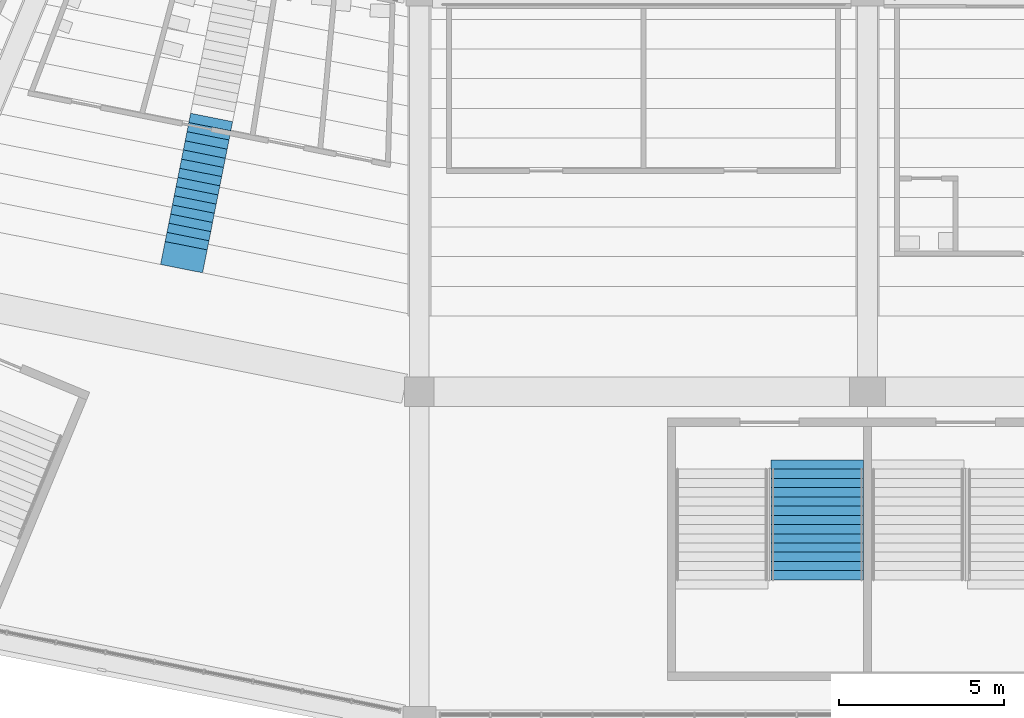
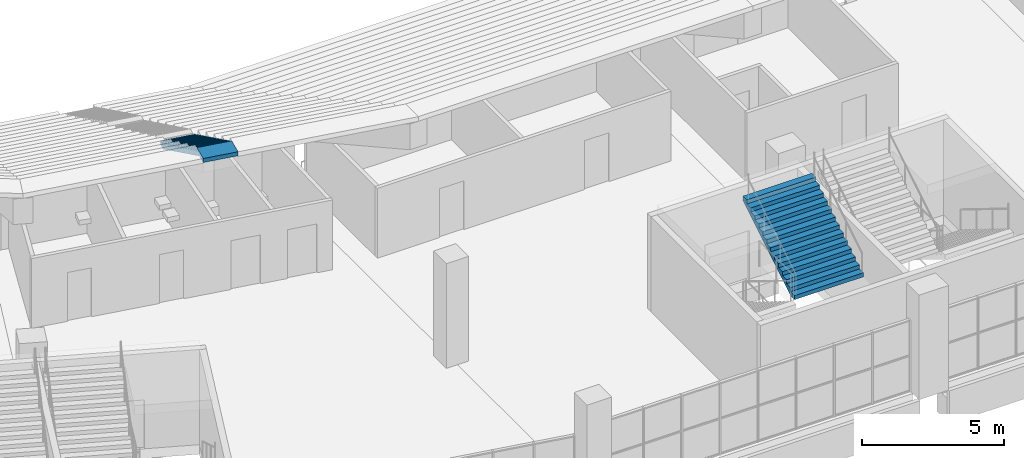
# One storey, part 135 of 249: 2 stair flights, 2 elements without a shape of their own.
"""IFC4 building model written with IfcOpenShell, lengths in metres."""

from ifc_helpers import new_model, si_unit, direction, frame, origin, place, context, subcontext, project, spatial, faceted_brep, material, type_object, element, aggregate, save


model = new_model("IFC4")

# Units and contexts
model_context = context("Model", 3, precision=1e-05, world=origin(), true_north=direction((0.0, 1.0)))
body_context = subcontext(model_context, "Body", "Model", "MODEL_VIEW")
ifc_project = project(units=[si_unit("LENGTHUNIT", "METRE"), si_unit("AREAUNIT", "SQUARE_METRE"), si_unit("VOLUMEUNIT", "CUBIC_METRE"), si_unit("PLANEANGLEUNIT", "RADIAN"), si_unit("MASSUNIT", "GRAM", prefix="KILO")], contexts=[model_context])

# Site, building, storey
site_placement = place(None, origin())
site = spatial("IfcSite", under=ifc_project, at=site_placement, CompositionType="ELEMENT")
building_placement = place(site_placement, origin())
building = spatial("IfcBuilding", under=site, at=building_placement, Name="Ogive Plaza Stadium", CompositionType="ELEMENT")
storey_placement = place(building_placement, frame((0.0, 0.0, 13.5)))
storey = spatial("IfcBuildingStorey", under=building, at=storey_placement, Name="L03", CompositionType="ELEMENT", Elevation=13.5)

# Stair, stair flight
ifc_material_1 = material(Name="Concrete C40/50", Category="concrete")
stair_type_1 = type_object("IfcStairType", Name="Aisle stair", PredefinedType="STRAIGHT_RUN_STAIR", material=ifc_material_1)
stair_1_placement = place(storey_placement, origin())
stair_1 = element("IfcStair", 1, at=stair_1_placement, inside=storey, type_object=stair_type_1, Name="Aisle stair SA17U", PredefinedType="STRAIGHT_RUN_STAIR")
ifc_material_2 = material(Name="Concrete C40/50", Category="concrete")
stair_flight_type_1 = type_object("IfcStairFlightType", Name="Aisle stair flight", PredefinedType="STRAIGHT", material=ifc_material_2)
stair_flight_1_placement = place(storey_placement, frame((-40.301513671875, -84.179443359375, 6.5), z_axis=(0.0, 0.0, 1.0), x_axis=(-0.195090322016, -0.980785280403, 0.0)))
stair_flight_1 = element("IfcStairFlight", 2, at=stair_flight_1_placement, type_object=stair_flight_type_1, Name="SA17U flight 3", NumberOfRisers=15, NumberOfTreads=14, PredefinedType="STRAIGHT", RiserHeight=0.166666667, TreadLength=0.283333333, context=body_context, shape_type="Brep", body=[
    faceted_brep([(0.295654296875, -0.64990234375, 0.0), (4.25, -0.64990234375, 2.326171875), (4.675537109375, -0.64990234375, 2.326171875), (4.675537109375, -0.64990234375, 2.5), (3.966552734375, -0.64990234375, 2.5), (3.966552734375, -0.64990234375, 2.333251953125), (3.683349609375, -0.64990234375, 2.333251953125), (3.683349609375, -0.64990234375, 2.166748046875), (3.39990234375, -0.64990234375, 2.166748046875), (3.39990234375, -0.64990234375, 2.0), (3.11669921875, -0.64990234375, 2.0), (3.11669921875, -0.64990234375, 1.833251953125), (2.833251953125, -0.64990234375, 1.833251953125), (2.833251953125, -0.64990234375, 1.666748046875), (2.550048828125, -0.64990234375, 1.666748046875), (2.550048828125, -0.64990234375, 1.5), (2.2666015625, -0.64990234375, 1.5), (2.2666015625, -0.64990234375, 1.333251953125), (1.9833984375, -0.64990234375, 1.333251953125), (1.9833984375, -0.64990234375, 1.166748046875), (1.699951171875, -0.64990234375, 1.166748046875), (1.699951171875, -0.64990234375, 1.0), (1.416748046875, -0.64990234375, 1.0), (1.416748046875, -0.64990234375, 0.833251953125), (1.13330078125, -0.64990234375, 0.833251953125), (1.13330078125, -0.64990234375, 0.666748046875), (0.85009765625, -0.64990234375, 0.666748046875), (0.85009765625, -0.64990234375, 0.5), (0.566650390625, -0.64990234375, 0.5), (0.566650390625, -0.64990234375, 0.333251953125), (0.283447265625, -0.64990234375, 0.333251953125), (0.283447265625, -0.64990234375, 0.166748046875), (0.0, -0.64990234375, 0.166748046875), (0.0, -0.64990234375, 0.0), (0.0, 0.64990234375, 0.0), (0.0, 0.64990234375, 0.166748046875), (0.283447265625, 0.64990234375, 0.166748046875), (0.283447265625, 0.64990234375, 0.333251953125), (0.566650390625, 0.64990234375, 0.333251953125), (0.566650390625, 0.64990234375, 0.5), (0.85009765625, 0.64990234375, 0.5), (0.85009765625, 0.64990234375, 0.666748046875), (1.13330078125, 0.64990234375, 0.666748046875), (1.13330078125, 0.64990234375, 0.833251953125), (1.416748046875, 0.64990234375, 0.833251953125), (1.416748046875, 0.64990234375, 1.0), (1.699951171875, 0.64990234375, 1.0), (1.699951171875, 0.64990234375, 1.166748046875), (1.9833984375, 0.64990234375, 1.166748046875), (1.9833984375, 0.64990234375, 1.333251953125), (2.2666015625, 0.64990234375, 1.333251953125), (2.2666015625, 0.64990234375, 1.5), (2.550048828125, 0.64990234375, 1.5), (2.550048828125, 0.64990234375, 1.666748046875), (2.833251953125, 0.64990234375, 1.666748046875), (2.833251953125, 0.64990234375, 1.833251953125), (3.11669921875, 0.64990234375, 1.833251953125), (3.11669921875, 0.64990234375, 2.0), (3.39990234375, 0.64990234375, 2.0), (3.39990234375, 0.64990234375, 2.166748046875), (3.683349609375, 0.64990234375, 2.166748046875), (3.683349609375, 0.64990234375, 2.333251953125), (3.966552734375, 0.64990234375, 2.333251953125), (3.966552734375, 0.64990234375, 2.5), (4.675537109375, 0.64990234375, 2.5), (4.675537109375, 0.64990234375, 2.326171875), (4.25, 0.64990234375, 2.326171875), (0.295654296875, 0.64990234375, 0.0), (0.295654296875, -0.324951171875, 0.0), (4.25, -0.324951171875, 2.326171875), (0.295654296875, 0.0, 0.0), (4.25, 0.0, 2.326171875), (0.295654296875, 0.324951171875, 0.0), (4.25, 0.324951171875, 2.326171875), (4.675537109375, -0.324951171875, 2.326171875), (4.675537109375, 0.0, 2.326171875), (4.675537109375, 0.324951171875, 2.326171875), (4.675537109375, -0.324951171875, 2.5), (4.675537109375, 0.0, 2.5), (4.675537109375, 0.324951171875, 2.5), (3.966552734375, -0.324951171875, 2.5), (3.966552734375, 0.0, 2.5), (3.966552734375, 0.324951171875, 2.5), (3.966552734375, -0.324951171875, 2.333251953125), (3.966552734375, 0.0, 2.333251953125), (3.966552734375, 0.324951171875, 2.333251953125), (3.683349609375, -0.324951171875, 2.333251953125), (3.683349609375, 0.0, 2.333251953125), (3.683349609375, 0.324951171875, 2.333251953125), (3.683349609375, -0.324951171875, 2.166748046875), (3.683349609375, 0.0, 2.166748046875), (3.683349609375, 0.324951171875, 2.166748046875), (3.39990234375, -0.324951171875, 2.166748046875), (3.39990234375, 0.0, 2.166748046875), (3.39990234375, 0.324951171875, 2.166748046875), (3.39990234375, -0.324951171875, 2.0), (3.39990234375, 0.0, 2.0), (3.39990234375, 0.324951171875, 2.0), (3.11669921875, -0.324951171875, 2.0), (3.11669921875, 0.0, 2.0), (3.11669921875, 0.324951171875, 2.0), (3.11669921875, -0.324951171875, 1.833251953125), (3.11669921875, 0.0, 1.833251953125), (3.11669921875, 0.324951171875, 1.833251953125), (2.833251953125, -0.324951171875, 1.833251953125), (2.833251953125, 0.0, 1.833251953125), (2.833251953125, 0.324951171875, 1.833251953125), (2.833251953125, -0.324951171875, 1.666748046875), (2.833251953125, 0.0, 1.666748046875), (2.833251953125, 0.324951171875, 1.666748046875), (2.550048828125, -0.324951171875, 1.666748046875), (2.550048828125, 0.0, 1.666748046875), (2.550048828125, 0.324951171875, 1.666748046875), (2.550048828125, -0.324951171875, 1.5), (2.550048828125, 0.0, 1.5), (2.550048828125, 0.324951171875, 1.5), (2.2666015625, -0.324951171875, 1.5), (2.2666015625, 0.0, 1.5), (2.2666015625, 0.324951171875, 1.5), (2.2666015625, -0.324951171875, 1.333251953125), (2.2666015625, 0.0, 1.333251953125), (2.2666015625, 0.324951171875, 1.333251953125), (1.9833984375, -0.324951171875, 1.333251953125), (1.9833984375, 0.0, 1.333251953125), (1.9833984375, 0.324951171875, 1.333251953125), (1.9833984375, -0.324951171875, 1.166748046875), (1.9833984375, 0.0, 1.166748046875), (1.9833984375, 0.324951171875, 1.166748046875), (1.699951171875, -0.324951171875, 1.166748046875), (1.699951171875, 0.0, 1.166748046875), (1.699951171875, 0.324951171875, 1.166748046875), (1.699951171875, -0.324951171875, 1.0), (1.699951171875, 0.0, 1.0), (1.699951171875, 0.324951171875, 1.0), (1.416748046875, -0.324951171875, 1.0), (1.416748046875, 0.0, 1.0), (1.416748046875, 0.324951171875, 1.0), (1.416748046875, -0.324951171875, 0.833251953125), (1.416748046875, 0.0, 0.833251953125), (1.416748046875, 0.324951171875, 0.833251953125), (1.13330078125, -0.324951171875, 0.833251953125), (1.13330078125, 0.0, 0.833251953125), (1.13330078125, 0.324951171875, 0.833251953125), (1.13330078125, -0.324951171875, 0.666748046875), (1.13330078125, 0.0, 0.666748046875), (1.13330078125, 0.324951171875, 0.666748046875), (0.85009765625, -0.324951171875, 0.666748046875), (0.85009765625, 0.0, 0.666748046875), (0.85009765625, 0.324951171875, 0.666748046875), (0.85009765625, -0.324951171875, 0.5), (0.85009765625, 0.0, 0.5), (0.85009765625, 0.324951171875, 0.5), (0.566650390625, -0.324951171875, 0.5), (0.566650390625, 0.0, 0.5), (0.566650390625, 0.324951171875, 0.5), (0.566650390625, -0.324951171875, 0.333251953125), (0.566650390625, 0.0, 0.333251953125), (0.566650390625, 0.324951171875, 0.333251953125), (0.283447265625, -0.324951171875, 0.333251953125), (0.283447265625, 0.0, 0.333251953125), (0.283447265625, 0.324951171875, 0.333251953125), (0.283447265625, -0.324951171875, 0.166748046875), (0.283447265625, 0.0, 0.166748046875), (0.283447265625, 0.324951171875, 0.166748046875), (0.0, -0.324951171875, 0.166748046875), (0.0, 0.0, 0.166748046875), (0.0, 0.324951171875, 0.166748046875), (0.0, -0.324951171875, 0.0), (0.0, 0.0, 0.0), (0.0, 0.324951171875, 0.0)], [[[0, 1, 2, 3, 4, 5, 6, 7, 8, 9, 10, 11, 12, 13, 14, 15, 16, 17, 18, 19, 20, 21, 22, 23, 24, 25, 26, 27, 28, 29, 30, 31, 32, 33]], [[34, 35, 36, 37, 38, 39, 40, 41, 42, 43, 44, 45, 46, 47, 48, 49, 50, 51, 52, 53, 54, 55, 56, 57, 58, 59, 60, 61, 62, 63, 64, 65, 66, 67]], [[0, 68, 69, 1]], [[68, 70, 71, 69]], [[70, 72, 73, 71]], [[72, 67, 66, 73]], [[1, 69, 74, 2]], [[69, 71, 75, 74]], [[71, 73, 76, 75]], [[73, 66, 65, 76]], [[2, 74, 77, 3]], [[74, 75, 78, 77]], [[75, 76, 79, 78]], [[76, 65, 64, 79]], [[3, 77, 80, 4]], [[77, 78, 81, 80]], [[78, 79, 82, 81]], [[79, 64, 63, 82]], [[4, 80, 83, 5]], [[80, 81, 84, 83]], [[81, 82, 85, 84]], [[82, 63, 62, 85]], [[5, 83, 86, 6]], [[83, 84, 87, 86]], [[84, 85, 88, 87]], [[85, 62, 61, 88]], [[6, 86, 89, 7]], [[86, 87, 90, 89]], [[87, 88, 91, 90]], [[88, 61, 60, 91]], [[7, 89, 92, 8]], [[89, 90, 93, 92]], [[90, 91, 94, 93]], [[91, 60, 59, 94]], [[8, 92, 95, 9]], [[92, 93, 96, 95]], [[93, 94, 97, 96]], [[94, 59, 58, 97]], [[9, 95, 98, 10]], [[95, 96, 99, 98]], [[96, 97, 100, 99]], [[97, 58, 57, 100]], [[10, 98, 101, 11]], [[98, 99, 102, 101]], [[99, 100, 103, 102]], [[100, 57, 56, 103]], [[11, 101, 104, 12]], [[101, 102, 105, 104]], [[102, 103, 106, 105]], [[103, 56, 55, 106]], [[12, 104, 107, 13]], [[104, 105, 108, 107]], [[105, 106, 109, 108]], [[106, 55, 54, 109]], [[13, 107, 110, 14]], [[107, 108, 111, 110]], [[108, 109, 112, 111]], [[109, 54, 53, 112]], [[14, 110, 113, 15]], [[110, 111, 114, 113]], [[111, 112, 115, 114]], [[112, 53, 52, 115]], [[15, 113, 116, 16]], [[113, 114, 117, 116]], [[114, 115, 118, 117]], [[115, 52, 51, 118]], [[16, 116, 119, 17]], [[116, 117, 120, 119]], [[117, 118, 121, 120]], [[118, 51, 50, 121]], [[17, 119, 122, 18]], [[119, 120, 123, 122]], [[120, 121, 124, 123]], [[121, 50, 49, 124]], [[18, 122, 125, 19]], [[122, 123, 126, 125]], [[123, 124, 127, 126]], [[124, 49, 48, 127]], [[19, 125, 128, 20]], [[125, 126, 129, 128]], [[126, 127, 130, 129]], [[127, 48, 47, 130]], [[20, 128, 131, 21]], [[128, 129, 132, 131]], [[129, 130, 133, 132]], [[130, 47, 46, 133]], [[21, 131, 134, 22]], [[131, 132, 135, 134]], [[132, 133, 136, 135]], [[133, 46, 45, 136]], [[22, 134, 137, 23]], [[134, 135, 138, 137]], [[135, 136, 139, 138]], [[136, 45, 44, 139]], [[23, 137, 140, 24]], [[137, 138, 141, 140]], [[138, 139, 142, 141]], [[139, 44, 43, 142]], [[24, 140, 143, 25]], [[140, 141, 144, 143]], [[141, 142, 145, 144]], [[142, 43, 42, 145]], [[25, 143, 146, 26]], [[143, 144, 147, 146]], [[144, 145, 148, 147]], [[145, 42, 41, 148]], [[26, 146, 149, 27]], [[146, 147, 150, 149]], [[147, 148, 151, 150]], [[148, 41, 40, 151]], [[27, 149, 152, 28]], [[149, 150, 153, 152]], [[150, 151, 154, 153]], [[151, 40, 39, 154]], [[28, 152, 155, 29]], [[152, 153, 156, 155]], [[153, 154, 157, 156]], [[154, 39, 38, 157]], [[29, 155, 158, 30]], [[155, 156, 159, 158]], [[156, 157, 160, 159]], [[157, 38, 37, 160]], [[30, 158, 161, 31]], [[158, 159, 162, 161]], [[159, 160, 163, 162]], [[160, 37, 36, 163]], [[31, 161, 164, 32]], [[161, 162, 165, 164]], [[162, 163, 166, 165]], [[163, 36, 35, 166]], [[32, 164, 167, 33]], [[164, 165, 168, 167]], [[165, 166, 169, 168]], [[166, 35, 34, 169]], [[33, 167, 68, 0]], [[167, 168, 70, 68]], [[168, 169, 72, 70]], [[169, 34, 67, 72]]]),
])
aggregate(stair_1, [stair_flight_1])

ifc_material_3 = material(Name="Concrete C40/50", Category="concrete")
stair_type_2 = type_object("IfcStairType", Name="Exit stair", PredefinedType="STRAIGHT_RUN_STAIR", material=ifc_material_3)
stair_2_placement = place(storey_placement, origin())
stair_2 = element("IfcStair", 3, at=stair_2_placement, inside=storey, type_object=stair_type_2, Name="Exit stair ST16A L03 to L04", PredefinedType="STRAIGHT_RUN_STAIR")
ifc_material_4 = material(Name="Concrete C40/50", Category="concrete")
stair_flight_type_2 = type_object("IfcStairFlightType", Name="Exit stair flight", PredefinedType="STRAIGHT", material=ifc_material_4)
stair_flight_2_placement = place(storey_placement, frame((-21.925048828125, -98.2099609375, 2.25), z_axis=(0.0, 0.0, 1.0), x_axis=(0.0, 1.0, 0.0)))
stair_flight_2 = element("IfcStairFlight", 4, at=stair_flight_2_placement, type_object=stair_flight_type_2, Name="ST16A flight 2", NumberOfRisers=13, NumberOfTreads=12, PredefinedType="STRAIGHT", RiserHeight=0.173076923, TreadLength=0.28, context=body_context, shape_type="Brep", body=[
    faceted_brep([(0.28515625, -1.39990234375, 0.0), (3.639892578125, -1.39990234375, 2.07373046875), (3.639892578125, -1.39990234375, 2.25), (3.360107421875, -1.39990234375, 2.25), (3.360107421875, -1.39990234375, 2.076904296875), (3.080078125, -1.39990234375, 2.076904296875), (3.080078125, -1.39990234375, 1.90380859375), (2.800048828125, -1.39990234375, 1.90380859375), (2.800048828125, -1.39990234375, 1.730712890625), (2.52001953125, -1.39990234375, 1.730712890625), (2.52001953125, -1.39990234375, 1.5576171875), (2.239990234375, -1.39990234375, 1.5576171875), (2.239990234375, -1.39990234375, 1.384521484375), (1.9599609375, -1.39990234375, 1.384521484375), (1.9599609375, -1.39990234375, 1.21142578125), (1.679931640625, -1.39990234375, 1.21142578125), (1.679931640625, -1.39990234375, 1.03857421875), (1.39990234375, -1.39990234375, 1.03857421875), (1.39990234375, -1.39990234375, 0.865478515625), (1.1201171875, -1.39990234375, 0.865478515625), (1.1201171875, -1.39990234375, 0.6923828125), (0.840087890625, -1.39990234375, 0.6923828125), (0.840087890625, -1.39990234375, 0.519287109375), (0.56005859375, -1.39990234375, 0.519287109375), (0.56005859375, -1.39990234375, 0.34619140625), (0.280029296875, -1.39990234375, 0.34619140625), (0.280029296875, -1.39990234375, 0.173095703125), (0.0, -1.39990234375, 0.173095703125), (0.0, -1.39990234375, 0.0), (0.0, 1.39990234375, 0.0), (0.0, 1.39990234375, 0.173095703125), (0.280029296875, 1.39990234375, 0.173095703125), (0.280029296875, 1.39990234375, 0.34619140625), (0.56005859375, 1.39990234375, 0.34619140625), (0.56005859375, 1.39990234375, 0.519287109375), (0.840087890625, 1.39990234375, 0.519287109375), (0.840087890625, 1.39990234375, 0.6923828125), (1.1201171875, 1.39990234375, 0.6923828125), (1.1201171875, 1.39990234375, 0.865478515625), (1.39990234375, 1.39990234375, 0.865478515625), (1.39990234375, 1.39990234375, 1.03857421875), (1.679931640625, 1.39990234375, 1.03857421875), (1.679931640625, 1.39990234375, 1.21142578125), (1.9599609375, 1.39990234375, 1.21142578125), (1.9599609375, 1.39990234375, 1.384521484375), (2.239990234375, 1.39990234375, 1.384521484375), (2.239990234375, 1.39990234375, 1.5576171875), (2.52001953125, 1.39990234375, 1.5576171875), (2.52001953125, 1.39990234375, 1.730712890625), (2.800048828125, 1.39990234375, 1.730712890625), (2.800048828125, 1.39990234375, 1.90380859375), (3.080078125, 1.39990234375, 1.90380859375), (3.080078125, 1.39990234375, 2.076904296875), (3.360107421875, 1.39990234375, 2.076904296875), (3.360107421875, 1.39990234375, 2.25), (3.639892578125, 1.39990234375, 2.25), (3.639892578125, 1.39990234375, 2.07373046875), (0.28515625, 1.39990234375, 0.0), (0.28515625, -1.0888671875, 0.0), (3.639892578125, -1.0888671875, 2.07373046875), (0.28515625, -0.77783203125, 0.0), (3.639892578125, -0.77783203125, 2.07373046875), (0.28515625, -0.466796875, 0.0), (3.639892578125, -0.466796875, 2.07373046875), (0.28515625, -0.155517578125, 0.0), (3.639892578125, -0.155517578125, 2.07373046875), (0.28515625, 0.155517578125, 0.0), (3.639892578125, 0.155517578125, 2.07373046875), (0.28515625, 0.466796875, 0.0), (3.639892578125, 0.466796875, 2.07373046875), (0.28515625, 0.77783203125, 0.0), (3.639892578125, 0.77783203125, 2.07373046875), (0.28515625, 1.0888671875, 0.0), (3.639892578125, 1.0888671875, 2.07373046875), (3.639892578125, -1.0888671875, 2.25), (3.639892578125, -0.77783203125, 2.25), (3.639892578125, -0.466796875, 2.25), (3.639892578125, -0.155517578125, 2.25), (3.639892578125, 0.155517578125, 2.25), (3.639892578125, 0.466796875, 2.25), (3.639892578125, 0.77783203125, 2.25), (3.639892578125, 1.0888671875, 2.25), (3.360107421875, -1.0888671875, 2.25), (3.360107421875, -0.77783203125, 2.25), (3.360107421875, -0.466796875, 2.25), (3.360107421875, -0.155517578125, 2.25), (3.360107421875, 0.155517578125, 2.25), (3.360107421875, 0.466796875, 2.25), (3.360107421875, 0.77783203125, 2.25), (3.360107421875, 1.0888671875, 2.25), (3.360107421875, -1.0888671875, 2.076904296875), (3.360107421875, -0.77783203125, 2.076904296875), (3.360107421875, -0.466796875, 2.076904296875), (3.360107421875, -0.155517578125, 2.076904296875), (3.360107421875, 0.155517578125, 2.076904296875), (3.360107421875, 0.466796875, 2.076904296875), (3.360107421875, 0.77783203125, 2.076904296875), (3.360107421875, 1.0888671875, 2.076904296875), (3.080078125, -1.0888671875, 2.076904296875), (3.080078125, -0.77783203125, 2.076904296875), (3.080078125, -0.466796875, 2.076904296875), (3.080078125, -0.155517578125, 2.076904296875), (3.080078125, 0.155517578125, 2.076904296875), (3.080078125, 0.466796875, 2.076904296875), (3.080078125, 0.77783203125, 2.076904296875), (3.080078125, 1.0888671875, 2.076904296875), (3.080078125, -1.0888671875, 1.90380859375), (3.080078125, -0.77783203125, 1.90380859375), (3.080078125, -0.466796875, 1.90380859375), (3.080078125, -0.155517578125, 1.90380859375), (3.080078125, 0.155517578125, 1.90380859375), (3.080078125, 0.466796875, 1.90380859375), (3.080078125, 0.77783203125, 1.90380859375), (3.080078125, 1.0888671875, 1.90380859375), (2.800048828125, -1.0888671875, 1.90380859375), (2.800048828125, -0.77783203125, 1.90380859375), (2.800048828125, -0.466796875, 1.90380859375), (2.800048828125, -0.155517578125, 1.90380859375), (2.800048828125, 0.155517578125, 1.90380859375), (2.800048828125, 0.466796875, 1.90380859375), (2.800048828125, 0.77783203125, 1.90380859375), (2.800048828125, 1.0888671875, 1.90380859375), (2.800048828125, -1.0888671875, 1.730712890625), (2.800048828125, -0.77783203125, 1.730712890625), (2.800048828125, -0.466796875, 1.730712890625), (2.800048828125, -0.155517578125, 1.730712890625), (2.800048828125, 0.155517578125, 1.730712890625), (2.800048828125, 0.466796875, 1.730712890625), (2.800048828125, 0.77783203125, 1.730712890625), (2.800048828125, 1.0888671875, 1.730712890625), (2.52001953125, -1.0888671875, 1.730712890625), (2.52001953125, -0.77783203125, 1.730712890625), (2.52001953125, -0.466796875, 1.730712890625), (2.52001953125, -0.155517578125, 1.730712890625), (2.52001953125, 0.155517578125, 1.730712890625), (2.52001953125, 0.466796875, 1.730712890625), (2.52001953125, 0.77783203125, 1.730712890625), (2.52001953125, 1.0888671875, 1.730712890625), (2.52001953125, -1.0888671875, 1.5576171875), (2.52001953125, -0.77783203125, 1.5576171875), (2.52001953125, -0.466796875, 1.5576171875), (2.52001953125, -0.155517578125, 1.5576171875), (2.52001953125, 0.155517578125, 1.5576171875), (2.52001953125, 0.466796875, 1.5576171875), (2.52001953125, 0.77783203125, 1.5576171875), (2.52001953125, 1.0888671875, 1.5576171875), (2.239990234375, -1.0888671875, 1.5576171875), (2.239990234375, -0.77783203125, 1.5576171875), (2.239990234375, -0.466796875, 1.5576171875), (2.239990234375, -0.155517578125, 1.5576171875), (2.239990234375, 0.155517578125, 1.5576171875), (2.239990234375, 0.466796875, 1.5576171875), (2.239990234375, 0.77783203125, 1.5576171875), (2.239990234375, 1.0888671875, 1.5576171875), (2.239990234375, -1.0888671875, 1.384521484375), (2.239990234375, -0.77783203125, 1.384521484375), (2.239990234375, -0.466796875, 1.384521484375), (2.239990234375, -0.155517578125, 1.384521484375), (2.239990234375, 0.155517578125, 1.384521484375), (2.239990234375, 0.466796875, 1.384521484375), (2.239990234375, 0.77783203125, 1.384521484375), (2.239990234375, 1.0888671875, 1.384521484375), (1.9599609375, -1.0888671875, 1.384521484375), (1.9599609375, -0.77783203125, 1.384521484375), (1.9599609375, -0.466796875, 1.384521484375), (1.9599609375, -0.155517578125, 1.384521484375), (1.9599609375, 0.155517578125, 1.384521484375), (1.9599609375, 0.466796875, 1.384521484375), (1.9599609375, 0.77783203125, 1.384521484375), (1.9599609375, 1.0888671875, 1.384521484375), (1.9599609375, -1.0888671875, 1.21142578125), (1.9599609375, -0.77783203125, 1.21142578125), (1.9599609375, -0.466796875, 1.21142578125), (1.9599609375, -0.155517578125, 1.21142578125), (1.9599609375, 0.155517578125, 1.21142578125), (1.9599609375, 0.466796875, 1.21142578125), (1.9599609375, 0.77783203125, 1.21142578125), (1.9599609375, 1.0888671875, 1.21142578125), (1.679931640625, -1.0888671875, 1.21142578125), (1.679931640625, -0.77783203125, 1.21142578125), (1.679931640625, -0.466796875, 1.21142578125), (1.679931640625, -0.155517578125, 1.21142578125), (1.679931640625, 0.155517578125, 1.21142578125), (1.679931640625, 0.466796875, 1.21142578125), (1.679931640625, 0.77783203125, 1.21142578125), (1.679931640625, 1.0888671875, 1.21142578125), (1.679931640625, -1.0888671875, 1.03857421875), (1.679931640625, -0.77783203125, 1.03857421875), (1.679931640625, -0.466796875, 1.03857421875), (1.679931640625, -0.155517578125, 1.03857421875), (1.679931640625, 0.155517578125, 1.03857421875), (1.679931640625, 0.466796875, 1.03857421875), (1.679931640625, 0.77783203125, 1.03857421875), (1.679931640625, 1.0888671875, 1.03857421875), (1.39990234375, -1.0888671875, 1.03857421875), (1.39990234375, -0.77783203125, 1.03857421875), (1.39990234375, -0.466796875, 1.03857421875), (1.39990234375, -0.155517578125, 1.03857421875), (1.39990234375, 0.155517578125, 1.03857421875), (1.39990234375, 0.466796875, 1.03857421875), (1.39990234375, 0.77783203125, 1.03857421875), (1.39990234375, 1.0888671875, 1.03857421875), (1.39990234375, -1.0888671875, 0.865478515625), (1.39990234375, -0.77783203125, 0.865478515625), (1.39990234375, -0.466796875, 0.865478515625), (1.39990234375, -0.155517578125, 0.865478515625), (1.39990234375, 0.155517578125, 0.865478515625), (1.39990234375, 0.466796875, 0.865478515625), (1.39990234375, 0.77783203125, 0.865478515625), (1.39990234375, 1.0888671875, 0.865478515625), (1.1201171875, -1.0888671875, 0.865478515625), (1.1201171875, -0.77783203125, 0.865478515625), (1.1201171875, -0.466796875, 0.865478515625), (1.1201171875, -0.155517578125, 0.865478515625), (1.1201171875, 0.155517578125, 0.865478515625), (1.1201171875, 0.466796875, 0.865478515625), (1.1201171875, 0.77783203125, 0.865478515625), (1.1201171875, 1.0888671875, 0.865478515625), (1.1201171875, -1.0888671875, 0.6923828125), (1.1201171875, -0.77783203125, 0.6923828125), (1.1201171875, -0.466796875, 0.6923828125), (1.1201171875, -0.155517578125, 0.6923828125), (1.1201171875, 0.155517578125, 0.6923828125), (1.1201171875, 0.466796875, 0.6923828125), (1.1201171875, 0.77783203125, 0.6923828125), (1.1201171875, 1.0888671875, 0.6923828125), (0.840087890625, -1.0888671875, 0.6923828125), (0.840087890625, -0.77783203125, 0.6923828125), (0.840087890625, -0.466796875, 0.6923828125), (0.840087890625, -0.155517578125, 0.6923828125), (0.840087890625, 0.155517578125, 0.6923828125), (0.840087890625, 0.466796875, 0.6923828125), (0.840087890625, 0.77783203125, 0.6923828125), (0.840087890625, 1.0888671875, 0.6923828125), (0.840087890625, -1.0888671875, 0.519287109375), (0.840087890625, -0.77783203125, 0.519287109375), (0.840087890625, -0.466796875, 0.519287109375), (0.840087890625, -0.155517578125, 0.519287109375), (0.840087890625, 0.155517578125, 0.519287109375), (0.840087890625, 0.466796875, 0.519287109375), (0.840087890625, 0.77783203125, 0.519287109375), (0.840087890625, 1.0888671875, 0.519287109375), (0.56005859375, -1.0888671875, 0.519287109375), (0.56005859375, -0.77783203125, 0.519287109375), (0.56005859375, -0.466796875, 0.519287109375), (0.56005859375, -0.155517578125, 0.519287109375), (0.56005859375, 0.155517578125, 0.519287109375), (0.56005859375, 0.466796875, 0.519287109375), (0.56005859375, 0.77783203125, 0.519287109375), (0.56005859375, 1.0888671875, 0.519287109375), (0.56005859375, -1.0888671875, 0.34619140625), (0.56005859375, -0.77783203125, 0.34619140625), (0.56005859375, -0.466796875, 0.34619140625), (0.56005859375, -0.155517578125, 0.34619140625), (0.56005859375, 0.155517578125, 0.34619140625), (0.56005859375, 0.466796875, 0.34619140625), (0.56005859375, 0.77783203125, 0.34619140625), (0.56005859375, 1.0888671875, 0.34619140625), (0.280029296875, -1.0888671875, 0.34619140625), (0.280029296875, -0.77783203125, 0.34619140625), (0.280029296875, -0.466796875, 0.34619140625), (0.280029296875, -0.155517578125, 0.34619140625), (0.280029296875, 0.155517578125, 0.34619140625), (0.280029296875, 0.466796875, 0.34619140625), (0.280029296875, 0.77783203125, 0.34619140625), (0.280029296875, 1.0888671875, 0.34619140625), (0.280029296875, -1.0888671875, 0.173095703125), (0.280029296875, -0.77783203125, 0.173095703125), (0.280029296875, -0.466796875, 0.173095703125), (0.280029296875, -0.155517578125, 0.173095703125), (0.280029296875, 0.155517578125, 0.173095703125), (0.280029296875, 0.466796875, 0.173095703125), (0.280029296875, 0.77783203125, 0.173095703125), (0.280029296875, 1.0888671875, 0.173095703125), (0.0, -1.0888671875, 0.173095703125), (0.0, -0.77783203125, 0.173095703125), (0.0, -0.466796875, 0.173095703125), (0.0, -0.155517578125, 0.173095703125), (0.0, 0.155517578125, 0.173095703125), (0.0, 0.466796875, 0.173095703125), (0.0, 0.77783203125, 0.173095703125), (0.0, 1.0888671875, 0.173095703125), (0.0, -1.0888671875, 0.0), (0.0, -0.77783203125, 0.0), (0.0, -0.466796875, 0.0), (0.0, -0.155517578125, 0.0), (0.0, 0.155517578125, 0.0), (0.0, 0.466796875, 0.0), (0.0, 0.77783203125, 0.0), (0.0, 1.0888671875, 0.0)], [[[0, 1, 2, 3, 4, 5, 6, 7, 8, 9, 10, 11, 12, 13, 14, 15, 16, 17, 18, 19, 20, 21, 22, 23, 24, 25, 26, 27, 28]], [[29, 30, 31, 32, 33, 34, 35, 36, 37, 38, 39, 40, 41, 42, 43, 44, 45, 46, 47, 48, 49, 50, 51, 52, 53, 54, 55, 56, 57]], [[0, 58, 59, 1]], [[58, 60, 61, 59]], [[60, 62, 63, 61]], [[62, 64, 65, 63]], [[64, 66, 67, 65]], [[66, 68, 69, 67]], [[68, 70, 71, 69]], [[70, 72, 73, 71]], [[72, 57, 56, 73]], [[1, 59, 74, 2]], [[59, 61, 75, 74]], [[61, 63, 76, 75]], [[63, 65, 77, 76]], [[65, 67, 78, 77]], [[67, 69, 79, 78]], [[69, 71, 80, 79]], [[71, 73, 81, 80]], [[73, 56, 55, 81]], [[2, 74, 82, 3]], [[74, 75, 83, 82]], [[75, 76, 84, 83]], [[76, 77, 85, 84]], [[77, 78, 86, 85]], [[78, 79, 87, 86]], [[79, 80, 88, 87]], [[80, 81, 89, 88]], [[81, 55, 54, 89]], [[3, 82, 90, 4]], [[82, 83, 91, 90]], [[83, 84, 92, 91]], [[84, 85, 93, 92]], [[85, 86, 94, 93]], [[86, 87, 95, 94]], [[87, 88, 96, 95]], [[88, 89, 97, 96]], [[89, 54, 53, 97]], [[4, 90, 98, 5]], [[90, 91, 99, 98]], [[91, 92, 100, 99]], [[92, 93, 101, 100]], [[93, 94, 102, 101]], [[94, 95, 103, 102]], [[95, 96, 104, 103]], [[96, 97, 105, 104]], [[97, 53, 52, 105]], [[5, 98, 106, 6]], [[98, 99, 107, 106]], [[99, 100, 108, 107]], [[100, 101, 109, 108]], [[101, 102, 110, 109]], [[102, 103, 111, 110]], [[103, 104, 112, 111]], [[104, 105, 113, 112]], [[105, 52, 51, 113]], [[6, 106, 114, 7]], [[106, 107, 115, 114]], [[107, 108, 116, 115]], [[108, 109, 117, 116]], [[109, 110, 118, 117]], [[110, 111, 119, 118]], [[111, 112, 120, 119]], [[112, 113, 121, 120]], [[113, 51, 50, 121]], [[7, 114, 122, 8]], [[114, 115, 123, 122]], [[115, 116, 124, 123]], [[116, 117, 125, 124]], [[117, 118, 126, 125]], [[118, 119, 127, 126]], [[119, 120, 128, 127]], [[120, 121, 129, 128]], [[121, 50, 49, 129]], [[8, 122, 130, 9]], [[122, 123, 131, 130]], [[123, 124, 132, 131]], [[124, 125, 133, 132]], [[125, 126, 134, 133]], [[126, 127, 135, 134]], [[127, 128, 136, 135]], [[128, 129, 137, 136]], [[129, 49, 48, 137]], [[9, 130, 138, 10]], [[130, 131, 139, 138]], [[131, 132, 140, 139]], [[132, 133, 141, 140]], [[133, 134, 142, 141]], [[134, 135, 143, 142]], [[135, 136, 144, 143]], [[136, 137, 145, 144]], [[137, 48, 47, 145]], [[10, 138, 146, 11]], [[138, 139, 147, 146]], [[139, 140, 148, 147]], [[140, 141, 149, 148]], [[141, 142, 150, 149]], [[142, 143, 151, 150]], [[143, 144, 152, 151]], [[144, 145, 153, 152]], [[145, 47, 46, 153]], [[11, 146, 154, 12]], [[146, 147, 155, 154]], [[147, 148, 156, 155]], [[148, 149, 157, 156]], [[149, 150, 158, 157]], [[150, 151, 159, 158]], [[151, 152, 160, 159]], [[152, 153, 161, 160]], [[153, 46, 45, 161]], [[12, 154, 162, 13]], [[154, 155, 163, 162]], [[155, 156, 164, 163]], [[156, 157, 165, 164]], [[157, 158, 166, 165]], [[158, 159, 167, 166]], [[159, 160, 168, 167]], [[160, 161, 169, 168]], [[161, 45, 44, 169]], [[13, 162, 170, 14]], [[162, 163, 171, 170]], [[163, 164, 172, 171]], [[164, 165, 173, 172]], [[165, 166, 174, 173]], [[166, 167, 175, 174]], [[167, 168, 176, 175]], [[168, 169, 177, 176]], [[169, 44, 43, 177]], [[14, 170, 178, 15]], [[170, 171, 179, 178]], [[171, 172, 180, 179]], [[172, 173, 181, 180]], [[173, 174, 182, 181]], [[174, 175, 183, 182]], [[175, 176, 184, 183]], [[176, 177, 185, 184]], [[177, 43, 42, 185]], [[15, 178, 186, 16]], [[178, 179, 187, 186]], [[179, 180, 188, 187]], [[180, 181, 189, 188]], [[181, 182, 190, 189]], [[182, 183, 191, 190]], [[183, 184, 192, 191]], [[184, 185, 193, 192]], [[185, 42, 41, 193]], [[16, 186, 194, 17]], [[186, 187, 195, 194]], [[187, 188, 196, 195]], [[188, 189, 197, 196]], [[189, 190, 198, 197]], [[190, 191, 199, 198]], [[191, 192, 200, 199]], [[192, 193, 201, 200]], [[193, 41, 40, 201]], [[17, 194, 202, 18]], [[194, 195, 203, 202]], [[195, 196, 204, 203]], [[196, 197, 205, 204]], [[197, 198, 206, 205]], [[198, 199, 207, 206]], [[199, 200, 208, 207]], [[200, 201, 209, 208]], [[201, 40, 39, 209]], [[18, 202, 210, 19]], [[202, 203, 211, 210]], [[203, 204, 212, 211]], [[204, 205, 213, 212]], [[205, 206, 214, 213]], [[206, 207, 215, 214]], [[207, 208, 216, 215]], [[208, 209, 217, 216]], [[209, 39, 38, 217]], [[19, 210, 218, 20]], [[210, 211, 219, 218]], [[211, 212, 220, 219]], [[212, 213, 221, 220]], [[213, 214, 222, 221]], [[214, 215, 223, 222]], [[215, 216, 224, 223]], [[216, 217, 225, 224]], [[217, 38, 37, 225]], [[20, 218, 226, 21]], [[218, 219, 227, 226]], [[219, 220, 228, 227]], [[220, 221, 229, 228]], [[221, 222, 230, 229]], [[222, 223, 231, 230]], [[223, 224, 232, 231]], [[224, 225, 233, 232]], [[225, 37, 36, 233]], [[21, 226, 234, 22]], [[226, 227, 235, 234]], [[227, 228, 236, 235]], [[228, 229, 237, 236]], [[229, 230, 238, 237]], [[230, 231, 239, 238]], [[231, 232, 240, 239]], [[232, 233, 241, 240]], [[233, 36, 35, 241]], [[22, 234, 242, 23]], [[234, 235, 243, 242]], [[235, 236, 244, 243]], [[236, 237, 245, 244]], [[237, 238, 246, 245]], [[238, 239, 247, 246]], [[239, 240, 248, 247]], [[240, 241, 249, 248]], [[241, 35, 34, 249]], [[23, 242, 250, 24]], [[242, 243, 251, 250]], [[243, 244, 252, 251]], [[244, 245, 253, 252]], [[245, 246, 254, 253]], [[246, 247, 255, 254]], [[247, 248, 256, 255]], [[248, 249, 257, 256]], [[249, 34, 33, 257]], [[24, 250, 258, 25]], [[250, 251, 259, 258]], [[251, 252, 260, 259]], [[252, 253, 261, 260]], [[253, 254, 262, 261]], [[254, 255, 263, 262]], [[255, 256, 264, 263]], [[256, 257, 265, 264]], [[257, 33, 32, 265]], [[25, 258, 266, 26]], [[258, 259, 267, 266]], [[259, 260, 268, 267]], [[260, 261, 269, 268]], [[261, 262, 270, 269]], [[262, 263, 271, 270]], [[263, 264, 272, 271]], [[264, 265, 273, 272]], [[265, 32, 31, 273]], [[26, 266, 274, 27]], [[266, 267, 275, 274]], [[267, 268, 276, 275]], [[268, 269, 277, 276]], [[269, 270, 278, 277]], [[270, 271, 279, 278]], [[271, 272, 280, 279]], [[272, 273, 281, 280]], [[273, 31, 30, 281]], [[27, 274, 282, 28]], [[274, 275, 283, 282]], [[275, 276, 284, 283]], [[276, 277, 285, 284]], [[277, 278, 286, 285]], [[278, 279, 287, 286]], [[279, 280, 288, 287]], [[280, 281, 289, 288]], [[281, 30, 29, 289]], [[28, 282, 58, 0]], [[282, 283, 60, 58]], [[283, 284, 62, 60]], [[284, 285, 64, 62]], [[285, 286, 66, 64]], [[286, 287, 68, 66]], [[287, 288, 70, 68]], [[288, 289, 72, 70]], [[289, 29, 57, 72]]]),
])
aggregate(stair_2, [stair_flight_2])

save(model, "model.ifc")
